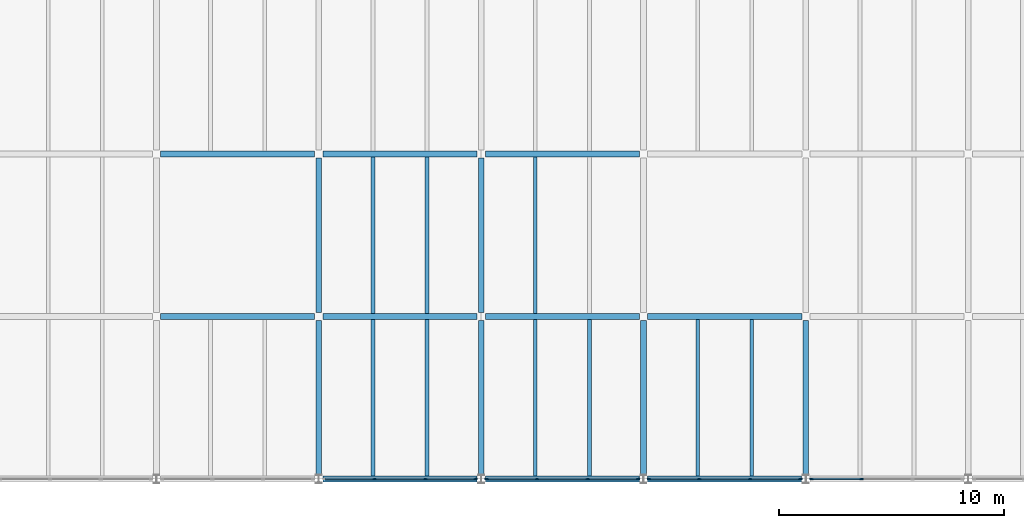
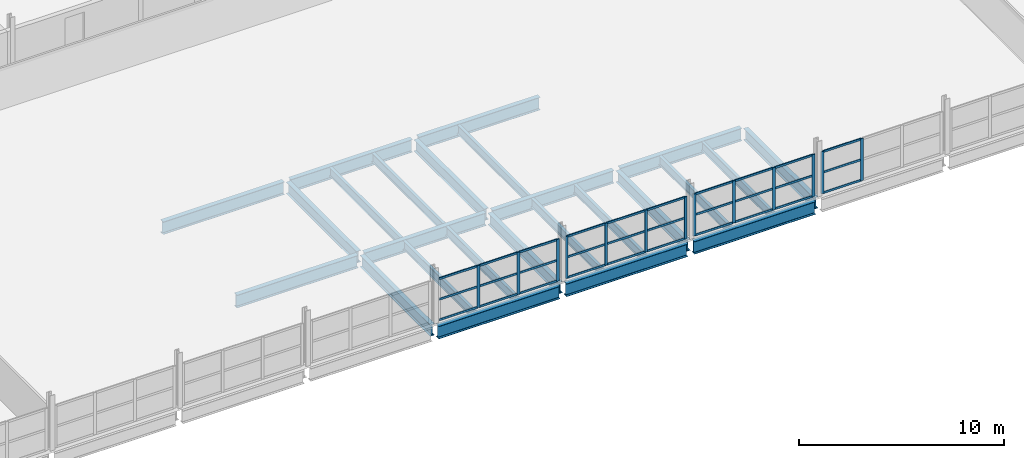
# One storey, part 10 of 25: 43 members, 25 beams, 4 elements without a shape of their own.
"""IFC4 building model written with IfcOpenShell, lengths in metres."""

from ifc_helpers import new_model, si_unit, direction, frame, origin, origin_2d, place, context, subcontext, project, spatial, rectangle, i_section, extrude, material, material_profile, profile_set, type_object, element, aggregate, save


model = new_model("IFC4")

# Units and contexts
model_context = context("Model", 3, precision=1e-05, world=origin(), true_north=direction((0.0, 1.0)))
body_context = subcontext(model_context, "Body", "Model", "MODEL_VIEW")
ifc_project = project(units=[si_unit("LENGTHUNIT", "METRE"), si_unit("AREAUNIT", "SQUARE_METRE"), si_unit("VOLUMEUNIT", "CUBIC_METRE"), si_unit("PLANEANGLEUNIT", "RADIAN"), si_unit("MASSUNIT", "GRAM", prefix="KILO")], contexts=[model_context])

# Site, building, storey
site_placement = place(None, origin())
site = spatial("IfcSite", under=ifc_project, at=site_placement, CompositionType="ELEMENT")
building_placement = place(site_placement, origin())
building = spatial("IfcBuilding", under=site, at=building_placement, Name="Vaelcorin Mobility Hub", CompositionType="ELEMENT")
storey_placement = place(building_placement, frame((0.0, 0.0, 21.0)))
storey = spatial("IfcBuildingStorey", under=building, at=storey_placement, Name="L05", CompositionType="ELEMENT", Elevation=21.0)

# Beams
ifc_material_1 = material(Name="Steel ASTM A992 Grade 50", Category="steel")
ifc_material_profile_1 = material_profile(ifc_material_1, i_section(OverallWidth=0.166015625, OverallDepth=0.528076171875, WebThickness=0.009765625, FlangeThickness=0.013671875, FilletRadius=0.013916015625, at=origin_2d()), Name="W21X50")
ifc_profile_set_1 = profile_set([ifc_material_profile_1], Name="Steel ASTM A992 Grade 50")
beam_type_1 = type_object("IfcBeamType", Name="BM-W21X50", PredefinedType="JOIST", material=ifc_profile_set_1)
for number, where, z_axis, x_axis, name in (
    (1, (74.39990234375, 84.132080078125, -0.52392578125), (0.0, 1.0, 0.0), (-1.0, 0.0, 0.0), "L05 Beam V3-L05-J-05-01-1"),
    (2, (76.800048828125, 84.132080078125, -0.52392578125), (0.0, 1.0, 0.0), (-1.0, 0.0, 0.0), "L05 Beam V3-L05-J-05-01-2"),
    (3, (74.39990234375, 91.33203125, -0.52392578125), (0.0, 1.0, 0.0), (-1.0, 0.0, 0.0), "L05 Beam V3-L05-J-05-02-1"),
    (4, (76.800048828125, 91.33203125, -0.52392578125), (0.0, 1.0, 0.0), (-1.0, 0.0, 0.0), "L05 Beam V3-L05-J-05-02-2"),
    (5, (81.60009765625, 84.132080078125, -0.52392578125), (0.0, 1.0, 0.0), (-1.0, 0.0, 0.0), "L05 Beam V3-L05-J-06-01-1"),
    (6, (84.0, 84.132080078125, -0.52392578125), (0.0, 1.0, 0.0), (-1.0, 0.0, 0.0), "L05 Beam V3-L05-J-06-01-2"),
    (7, (81.60009765625, 91.33203125, -0.52392578125), (0.0, 1.0, 0.0), (-1.0, 0.0, 0.0), "L05 Beam V3-L05-J-06-02-1"),
    (8, (88.800048828125, 84.132080078125, -0.52392578125), (0.0, 1.0, 0.0), (-1.0, 0.0, 0.0), "L05 Beam V3-L05-J-07-01-1"),
    (9, (91.199951171875, 84.132080078125, -0.52392578125), (0.0, 1.0, 0.0), (-1.0, 0.0, 0.0), "L05 Beam V3-L05-J-07-01-2"),
):
    element("IfcBeam", number, at=place(storey_placement, frame(where, z_axis=z_axis, x_axis=x_axis)), inside=storey, type_object=beam_type_1, Name=name, PredefinedType="JOIST", context=body_context, shape_type="SweptSolid", body=[
        extrude(i_section(OverallWidth=0.166015625, OverallDepth=0.528076171875, WebThickness=0.009765625, FlangeThickness=0.013671875, FilletRadius=0.013916015625, at=origin_2d()), origin(), (0.0, 0.0, 1.0), 6.93603515625),
    ])
ifc_material_profile_2 = material_profile(ifc_material_1, i_section(OverallWidth=0.25390625, OverallDepth=0.68310546875, WebThickness=0.012451171875, FlangeThickness=0.018798828125, FilletRadius=0.01611328125, at=origin_2d()), Name="W27X94")
ifc_profile_set_2 = profile_set([ifc_material_profile_2], Name="Steel ASTM A992 Grade 50")
beam_type_2 = type_object("IfcBeamType", Name="BM-W27X94", PredefinedType="BEAM", material=ifc_profile_set_2)
beam_1_placement = place(storey_placement, frame((72.0, 84.179931640625, -0.60205078125), z_axis=(0.0, 1.0, 0.0), x_axis=(-1.0, 0.0, 0.0)))
element("IfcBeam", 10, at=beam_1_placement, inside=storey, type_object=beam_type_2, Name="L05 Beam V3-L05-GY-05-01", PredefinedType="BEAM", context=body_context, shape_type="SweptSolid", body=[
    extrude(i_section(OverallWidth=0.25390625, OverallDepth=0.68310546875, WebThickness=0.012451171875, FlangeThickness=0.018798828125, FilletRadius=0.01611328125, at=origin_2d()), origin(), (0.0, 0.0, 1.0), 6.843994140625),
])
beam_2_placement = place(storey_placement, frame((72.0, 91.3759765625, -0.60205078125), z_axis=(0.0, 1.0, 0.0), x_axis=(-1.0, 0.0, 0.0)))
element("IfcBeam", 11, at=beam_2_placement, inside=storey, type_object=beam_type_2, Name="L05 Beam V3-L05-GY-05-02", PredefinedType="BEAM", context=body_context, shape_type="SweptSolid", body=[
    extrude(i_section(OverallWidth=0.25390625, OverallDepth=0.68310546875, WebThickness=0.012451171875, FlangeThickness=0.018798828125, FilletRadius=0.01611328125, at=origin_2d()), origin(), (0.0, 0.0, 1.0), 6.84814453125),
])
beam_3_placement = place(storey_placement, frame((79.199951171875, 84.179931640625, -0.60205078125), z_axis=(0.0, 1.0, 0.0), x_axis=(-1.0, 0.0, 0.0)))
element("IfcBeam", 12, at=beam_3_placement, inside=storey, type_object=beam_type_2, Name="L05 Beam V3-L05-GY-06-01", PredefinedType="BEAM", context=body_context, shape_type="SweptSolid", body=[
    extrude(i_section(OverallWidth=0.25390625, OverallDepth=0.68310546875, WebThickness=0.012451171875, FlangeThickness=0.018798828125, FilletRadius=0.01611328125, at=origin_2d()), origin(), (0.0, 0.0, 1.0), 6.843994140625),
])
beam_4_placement = place(storey_placement, frame((79.199951171875, 91.3759765625, -0.60205078125), z_axis=(0.0, 1.0, 0.0), x_axis=(-1.0, 0.0, 0.0)))
element("IfcBeam", 13, at=beam_4_placement, inside=storey, type_object=beam_type_2, Name="L05 Beam V3-L05-GY-06-02", PredefinedType="BEAM", context=body_context, shape_type="SweptSolid", body=[
    extrude(i_section(OverallWidth=0.25390625, OverallDepth=0.68310546875, WebThickness=0.012451171875, FlangeThickness=0.018798828125, FilletRadius=0.01611328125, at=origin_2d()), origin(), (0.0, 0.0, 1.0), 6.84814453125),
])
for number, where, z_axis, x_axis, name in (
    (14, (86.39990234375, 84.179931640625, -0.60205078125), (0.0, 1.0, 0.0), (-1.0, 0.0, 0.0), "L05 Beam V3-L05-GY-07-01"),
    (15, (93.60009765625, 84.179931640625, -0.60205078125), (0.0, 1.0, 0.0), (-1.0, 0.0, 0.0), "L05 Beam V3-L05-GY-08-01"),
):
    element("IfcBeam", number, at=place(storey_placement, frame(where, z_axis=z_axis, x_axis=x_axis)), inside=storey, type_object=beam_type_2, Name=name, PredefinedType="BEAM", context=body_context, shape_type="SweptSolid", body=[
        extrude(i_section(OverallWidth=0.25390625, OverallDepth=0.68310546875, WebThickness=0.012451171875, FlangeThickness=0.018798828125, FilletRadius=0.01611328125, at=origin_2d()), origin(), (0.0, 0.0, 1.0), 6.843994140625),
    ])
ifc_material_profile_3 = material_profile(ifc_material_1, i_section(OverallWidth=0.26708984375, OverallDepth=0.757080078125, WebThickness=0.013916015625, FlangeThickness=0.019287109375, FilletRadius=0.01708984375, at=origin_2d()), Name="W30X108")
ifc_profile_set_3 = profile_set([ifc_material_profile_3], Name="Steel ASTM A992 Grade 50")
beam_type_3 = type_object("IfcBeamType", Name="BM-W30X108", PredefinedType="BEAM", material=ifc_profile_set_3)
for number, where, z_axis, x_axis, name in (
    (16, (72.18408203125, 84.0, -0.637939453125), (1.0, 0.0, 0.0), (0.0, 1.0, 0.0), "L05 Beam V3-L05-GX-01-05"),
    (17, (79.384033203125, 84.0, -0.637939453125), (1.0, 0.0, 0.0), (0.0, 1.0, 0.0), "L05 Beam V3-L05-GX-01-06"),
):
    element("IfcBeam", number, at=place(storey_placement, frame(where, z_axis=z_axis, x_axis=x_axis)), inside=storey, type_object=beam_type_3, Name=name, PredefinedType="BEAM", context=body_context, shape_type="SweptSolid", body=[
        extrude(i_section(OverallWidth=0.26708984375, OverallDepth=0.757080078125, WebThickness=0.013916015625, FlangeThickness=0.019287109375, FilletRadius=0.01708984375, at=origin_2d()), origin(), (0.0, 0.0, 1.0), 6.8330078125),
    ])
beam_5_placement = place(storey_placement, frame((86.583984375, 84.0, -0.637939453125), z_axis=(1.0, 0.0, 0.0), x_axis=(0.0, 1.0, 0.0)))
element("IfcBeam", 18, at=beam_5_placement, inside=storey, type_object=beam_type_3, Name="L05 Beam V3-L05-GX-01-07", PredefinedType="BEAM", context=body_context, shape_type="SweptSolid", body=[
    extrude(i_section(OverallWidth=0.26708984375, OverallDepth=0.757080078125, WebThickness=0.013916015625, FlangeThickness=0.019287109375, FilletRadius=0.01708984375, at=origin_2d()), origin(), (0.0, 0.0, 1.0), 6.83203125),
])
for number, where, z_axis, x_axis, name in (
    (19, (64.98193359375, 91.199951171875, -0.637939453125), (1.0, 0.0, 0.0), (0.0, 1.0, 0.0), "L05 Beam V3-L05-GX-02-04"),
    (20, (72.181884765625, 91.199951171875, -0.637939453125), (1.0, 0.0, 0.0), (0.0, 1.0, 0.0), "L05 Beam V3-L05-GX-02-05"),
):
    element("IfcBeam", number, at=place(storey_placement, frame(where, z_axis=z_axis, x_axis=x_axis)), inside=storey, type_object=beam_type_3, Name=name, PredefinedType="BEAM", context=body_context, shape_type="SweptSolid", body=[
        extrude(i_section(OverallWidth=0.26708984375, OverallDepth=0.757080078125, WebThickness=0.013916015625, FlangeThickness=0.019287109375, FilletRadius=0.01708984375, at=origin_2d()), origin(), (0.0, 0.0, 1.0), 6.836181640625),
    ])
for number, where, z_axis, x_axis, name in (
    (21, (79.382080078125, 91.199951171875, -0.637939453125), (1.0, 0.0, 0.0), (0.0, 1.0, 0.0), "L05 Beam V3-L05-GX-02-06"),
    (22, (86.58203125, 91.199951171875, -0.637939453125), (1.0, 0.0, 0.0), (0.0, 1.0, 0.0), "L05 Beam V3-L05-GX-02-07"),
):
    element("IfcBeam", number, at=place(storey_placement, frame(where, z_axis=z_axis, x_axis=x_axis)), inside=storey, type_object=beam_type_3, Name=name, PredefinedType="BEAM", context=body_context, shape_type="SweptSolid", body=[
        extrude(i_section(OverallWidth=0.26708984375, OverallDepth=0.757080078125, WebThickness=0.013916015625, FlangeThickness=0.019287109375, FilletRadius=0.01708984375, at=origin_2d()), origin(), (0.0, 0.0, 1.0), 6.8359375),
    ])
for number, where, z_axis, x_axis, name in (
    (23, (64.98193359375, 98.39990234375, -0.637939453125), (1.0, 0.0, 0.0), (0.0, 1.0, 0.0), "L05 Beam V3-L05-GX-03-04"),
    (24, (72.181884765625, 98.39990234375, -0.637939453125), (1.0, 0.0, 0.0), (0.0, 1.0, 0.0), "L05 Beam V3-L05-GX-03-05"),
):
    element("IfcBeam", number, at=place(storey_placement, frame(where, z_axis=z_axis, x_axis=x_axis)), inside=storey, type_object=beam_type_3, Name=name, PredefinedType="BEAM", context=body_context, shape_type="SweptSolid", body=[
        extrude(i_section(OverallWidth=0.26708984375, OverallDepth=0.757080078125, WebThickness=0.013916015625, FlangeThickness=0.019287109375, FilletRadius=0.01708984375, at=origin_2d()), origin(), (0.0, 0.0, 1.0), 6.836181640625),
    ])
beam_6_placement = place(storey_placement, frame((79.382080078125, 98.39990234375, -0.637939453125), z_axis=(1.0, 0.0, 0.0), x_axis=(0.0, 1.0, 0.0)))
element("IfcBeam", 25, at=beam_6_placement, inside=storey, type_object=beam_type_3, Name="L05 Beam V3-L05-GX-03-06", PredefinedType="BEAM", context=body_context, shape_type="SweptSolid", body=[
    extrude(i_section(OverallWidth=0.26708984375, OverallDepth=0.757080078125, WebThickness=0.013916015625, FlangeThickness=0.019287109375, FilletRadius=0.01708984375, at=origin_2d()), origin(), (0.0, 0.0, 1.0), 6.8359375),
])

# Curtain wall, members
ifc_material_2 = material(Name="Anodised aluminium 6063-T6", Category="aluminium")
curtain_wall_type = type_object("IfcCurtainWallType", Name="CW-SPT-A", PredefinedType="NOTDEFINED", material=ifc_material_2)
curtain_wall_1_placement = place(storey_placement, origin())
curtain_wall_1 = element("IfcCurtainWall", 26, at=curtain_wall_1_placement, inside=storey, type_object=curtain_wall_type, Name="L05 Curtain Wall CW-V3-S-05", PredefinedType="NOTDEFINED")
ifc_material_profile_4 = material_profile(ifc_material_2, rectangle(XDim=0.06005859375, YDim=0.159912109375, at=origin_2d()), Name="ALU-M60X160")
ifc_profile_set_4 = profile_set([ifc_material_profile_4], Name="Anodised aluminium 6063-T6")
member_type_1 = type_object("IfcMemberType", Name="CW-MULL-160", PredefinedType="MULLION", material=ifc_profile_set_4)
member_1_placement = place(storey_placement, frame((78.949951171875, 84.0, 0.0), z_axis=(0.0, 0.0, 1.0), x_axis=(0.0, -1.0, 0.0)))
member_1 = element("IfcMember", 27, at=member_1_placement, type_object=member_type_1, Name="CW5 mullion 1", PredefinedType="MULLION", context=body_context, shape_type="SweptSolid", body=[
    extrude(rectangle(XDim=0.06005859375, YDim=0.159912109375, at=origin_2d()), origin(), (0.0, 0.0, 1.0), 2.5),
])
member_2_placement = place(storey_placement, frame((76.7265625, 84.0, 0.0), z_axis=(0.0, 0.0, 1.0), x_axis=(0.0, -1.0, 0.0)))
member_2 = element("IfcMember", 28, at=member_2_placement, type_object=member_type_1, Name="CW5 mullion 2", PredefinedType="MULLION", context=body_context, shape_type="SweptSolid", body=[
    extrude(rectangle(XDim=0.06005859375, YDim=0.159912109375, at=origin_2d()), origin(), (0.0, 0.0, 1.0), 2.5),
])
member_3_placement = place(storey_placement, frame((74.473388671875, 84.0, 0.0), z_axis=(0.0, 0.0, 1.0), x_axis=(0.0, -1.0, 0.0)))
member_3 = element("IfcMember", 29, at=member_3_placement, type_object=member_type_1, Name="CW5 mullion 3", PredefinedType="MULLION", context=body_context, shape_type="SweptSolid", body=[
    extrude(rectangle(XDim=0.06005859375, YDim=0.159912109375, at=origin_2d()), origin(), (0.0, 0.0, 1.0), 2.5),
])

curtain_wall_2_placement = place(storey_placement, origin())
curtain_wall_2 = element("IfcCurtainWall", 30, at=curtain_wall_2_placement, inside=storey, type_object=curtain_wall_type, Name="L05 Curtain Wall CW-V3-S-06", PredefinedType="NOTDEFINED")
member_4_placement = place(storey_placement, frame((86.14990234375, 84.0, 0.0), z_axis=(0.0, 0.0, 1.0), x_axis=(0.0, -1.0, 0.0)))
member_4 = element("IfcMember", 31, at=member_4_placement, type_object=member_type_1, Name="CW5 mullion 1", PredefinedType="MULLION", context=body_context, shape_type="SweptSolid", body=[
    extrude(rectangle(XDim=0.06005859375, YDim=0.159912109375, at=origin_2d()), origin(), (0.0, 0.0, 1.0), 2.5),
])
member_5_placement = place(storey_placement, frame((83.9267578125, 84.0, 0.0), z_axis=(0.0, 0.0, 1.0), x_axis=(0.0, -1.0, 0.0)))
member_5 = element("IfcMember", 32, at=member_5_placement, type_object=member_type_1, Name="CW5 mullion 2", PredefinedType="MULLION", context=body_context, shape_type="SweptSolid", body=[
    extrude(rectangle(XDim=0.06005859375, YDim=0.159912109375, at=origin_2d()), origin(), (0.0, 0.0, 1.0), 2.5),
])
member_6_placement = place(storey_placement, frame((81.67333984375, 84.0, 0.0), z_axis=(0.0, 0.0, 1.0), x_axis=(0.0, -1.0, 0.0)))
member_6 = element("IfcMember", 33, at=member_6_placement, type_object=member_type_1, Name="CW5 mullion 3", PredefinedType="MULLION", context=body_context, shape_type="SweptSolid", body=[
    extrude(rectangle(XDim=0.06005859375, YDim=0.159912109375, at=origin_2d()), origin(), (0.0, 0.0, 1.0), 2.5),
])
member_7_placement = place(storey_placement, frame((79.449951171875, 84.0, 0.0), z_axis=(0.0, 0.0, 1.0), x_axis=(0.0, -1.0, 0.0)))
member_7 = element("IfcMember", 34, at=member_7_placement, type_object=member_type_1, Name="CW5 mullion 4", PredefinedType="MULLION", context=body_context, shape_type="SweptSolid", body=[
    extrude(rectangle(XDim=0.06005859375, YDim=0.159912109375, at=origin_2d()), origin(), (0.0, 0.0, 1.0), 2.5),
])

curtain_wall_3_placement = place(storey_placement, origin())
curtain_wall_3 = element("IfcCurtainWall", 35, at=curtain_wall_3_placement, inside=storey, type_object=curtain_wall_type, Name="L05 Curtain Wall CW-V3-S-07", PredefinedType="NOTDEFINED")
member_8_placement = place(storey_placement, frame((93.35009765625, 84.0, 0.0), z_axis=(0.0, 0.0, 1.0), x_axis=(0.0, -1.0, 0.0)))
member_8 = element("IfcMember", 36, at=member_8_placement, type_object=member_type_1, Name="CW5 mullion 1", PredefinedType="MULLION", context=body_context, shape_type="SweptSolid", body=[
    extrude(rectangle(XDim=0.06005859375, YDim=0.159912109375, at=origin_2d()), origin(), (0.0, 0.0, 1.0), 2.5),
])
member_9_placement = place(storey_placement, frame((91.126708984375, 84.0, 0.0), z_axis=(0.0, 0.0, 1.0), x_axis=(0.0, -1.0, 0.0)))
member_9 = element("IfcMember", 37, at=member_9_placement, type_object=member_type_1, Name="CW5 mullion 2", PredefinedType="MULLION", context=body_context, shape_type="SweptSolid", body=[
    extrude(rectangle(XDim=0.06005859375, YDim=0.159912109375, at=origin_2d()), origin(), (0.0, 0.0, 1.0), 2.5),
])
member_10_placement = place(storey_placement, frame((88.873291015625, 84.0, 0.0), z_axis=(0.0, 0.0, 1.0), x_axis=(0.0, -1.0, 0.0)))
member_10 = element("IfcMember", 38, at=member_10_placement, type_object=member_type_1, Name="CW5 mullion 3", PredefinedType="MULLION", context=body_context, shape_type="SweptSolid", body=[
    extrude(rectangle(XDim=0.06005859375, YDim=0.159912109375, at=origin_2d()), origin(), (0.0, 0.0, 1.0), 2.5),
])
member_11_placement = place(storey_placement, frame((86.64990234375, 84.0, 0.0), z_axis=(0.0, 0.0, 1.0), x_axis=(0.0, -1.0, 0.0)))
member_11 = element("IfcMember", 39, at=member_11_placement, type_object=member_type_1, Name="CW5 mullion 4", PredefinedType="MULLION", context=body_context, shape_type="SweptSolid", body=[
    extrude(rectangle(XDim=0.06005859375, YDim=0.159912109375, at=origin_2d()), origin(), (0.0, 0.0, 1.0), 2.5),
])

curtain_wall_4_placement = place(storey_placement, origin())
curtain_wall_4 = element("IfcCurtainWall", 40, at=curtain_wall_4_placement, inside=storey, type_object=curtain_wall_type, Name="L05 Curtain Wall CW-V3-S-08", PredefinedType="NOTDEFINED")
member_12_placement = place(storey_placement, frame((96.0732421875, 84.0, 0.0), z_axis=(0.0, 0.0, 1.0), x_axis=(0.0, -1.0, 0.0)))
member_12 = element("IfcMember", 41, at=member_12_placement, type_object=member_type_1, Name="CW5 mullion 3", PredefinedType="MULLION", context=body_context, shape_type="SweptSolid", body=[
    extrude(rectangle(XDim=0.06005859375, YDim=0.159912109375, at=origin_2d()), origin(), (0.0, 0.0, 1.0), 2.5),
])
member_13_placement = place(storey_placement, frame((93.85009765625, 84.0, 0.0), z_axis=(0.0, 0.0, 1.0), x_axis=(0.0, -1.0, 0.0)))
member_13 = element("IfcMember", 42, at=member_13_placement, type_object=member_type_1, Name="CW5 mullion 4", PredefinedType="MULLION", context=body_context, shape_type="SweptSolid", body=[
    extrude(rectangle(XDim=0.06005859375, YDim=0.159912109375, at=origin_2d()), origin(), (0.0, 0.0, 1.0), 2.5),
])

# Member
ifc_material_profile_5 = material_profile(ifc_material_2, rectangle(XDim=0.06005859375, YDim=0.1201171875, at=origin_2d()), Name="ALU-T60X120")
ifc_profile_set_5 = profile_set([ifc_material_profile_5], Name="Anodised aluminium 6063-T6")
member_type_2 = type_object("IfcMemberType", Name="CW-TRAN-140", PredefinedType="USERDEFINED", material=ifc_profile_set_5)
member_14_placement = place(storey_placement, frame((78.919921875, 84.0, 0.030029296875), z_axis=(-1.0, 0.0, 0.0), x_axis=(0.0, -1.0, 0.0)))
member_14 = element("IfcMember", 43, at=member_14_placement, type_object=member_type_2, Name="CW5 transom 1.1", ObjectType="TRANSOM", PredefinedType="USERDEFINED", context=body_context, shape_type="SweptSolid", body=[
    extrude(rectangle(XDim=0.06005859375, YDim=0.1201171875, at=origin_2d()), origin(), (0.0, 0.0, 1.0), 2.163330078125),
])

member_15_placement = place(storey_placement, frame((78.919921875, 84.0, 1.25), z_axis=(-1.0, 0.0, 0.0), x_axis=(0.0, -1.0, 0.0)))
member_15 = element("IfcMember", 44, at=member_15_placement, type_object=member_type_2, Name="CW5 transom 1.2", ObjectType="TRANSOM", PredefinedType="USERDEFINED", context=body_context, shape_type="SweptSolid", body=[
    extrude(rectangle(XDim=0.06005859375, YDim=0.1201171875, at=origin_2d()), origin(), (0.0, 0.0, 1.0), 2.163330078125),
])

member_16_placement = place(storey_placement, frame((78.919921875, 84.0, 2.469970703125), z_axis=(-1.0, 0.0, 0.0), x_axis=(0.0, -1.0, 0.0)))
member_16 = element("IfcMember", 45, at=member_16_placement, type_object=member_type_2, Name="CW5 transom 1.3", ObjectType="TRANSOM", PredefinedType="USERDEFINED", context=body_context, shape_type="SweptSolid", body=[
    extrude(rectangle(XDim=0.06005859375, YDim=0.1201171875, at=origin_2d()), origin(), (0.0, 0.0, 1.0), 2.163330078125),
])

member_17_placement = place(storey_placement, frame((76.69677734375, 84.0, 0.030029296875), z_axis=(-1.0, 0.0, 0.0), x_axis=(0.0, -1.0, 0.0)))
member_17 = element("IfcMember", 46, at=member_17_placement, type_object=member_type_2, Name="CW5 transom 2.1", ObjectType="TRANSOM", PredefinedType="USERDEFINED", context=body_context, shape_type="SweptSolid", body=[
    extrude(rectangle(XDim=0.06005859375, YDim=0.1201171875, at=origin_2d()), origin(), (0.0, 0.0, 1.0), 2.193359375),
])

member_18_placement = place(storey_placement, frame((76.69677734375, 84.0, 1.25), z_axis=(-1.0, 0.0, 0.0), x_axis=(0.0, -1.0, 0.0)))
member_18 = element("IfcMember", 47, at=member_18_placement, type_object=member_type_2, Name="CW5 transom 2.2", ObjectType="TRANSOM", PredefinedType="USERDEFINED", context=body_context, shape_type="SweptSolid", body=[
    extrude(rectangle(XDim=0.06005859375, YDim=0.1201171875, at=origin_2d()), origin(), (0.0, 0.0, 1.0), 2.193359375),
])

member_19_placement = place(storey_placement, frame((76.69677734375, 84.0, 2.469970703125), z_axis=(-1.0, 0.0, 0.0), x_axis=(0.0, -1.0, 0.0)))
member_19 = element("IfcMember", 48, at=member_19_placement, type_object=member_type_2, Name="CW5 transom 2.3", ObjectType="TRANSOM", PredefinedType="USERDEFINED", context=body_context, shape_type="SweptSolid", body=[
    extrude(rectangle(XDim=0.06005859375, YDim=0.1201171875, at=origin_2d()), origin(), (0.0, 0.0, 1.0), 2.193359375),
])

member_20_placement = place(storey_placement, frame((74.443359375, 84.0, 0.030029296875), z_axis=(-1.0, 0.0, 0.0), x_axis=(0.0, -1.0, 0.0)))
member_20 = element("IfcMember", 49, at=member_20_placement, type_object=member_type_2, Name="CW5 transom 3.1", ObjectType="TRANSOM", PredefinedType="USERDEFINED", context=body_context, shape_type="SweptSolid", body=[
    extrude(rectangle(XDim=0.06005859375, YDim=0.1201171875, at=origin_2d()), origin(), (0.0, 0.0, 1.0), 2.163330078125),
])

member_21_placement = place(storey_placement, frame((74.443359375, 84.0, 1.25), z_axis=(-1.0, 0.0, 0.0), x_axis=(0.0, -1.0, 0.0)))
member_21 = element("IfcMember", 50, at=member_21_placement, type_object=member_type_2, Name="CW5 transom 3.2", ObjectType="TRANSOM", PredefinedType="USERDEFINED", context=body_context, shape_type="SweptSolid", body=[
    extrude(rectangle(XDim=0.06005859375, YDim=0.1201171875, at=origin_2d()), origin(), (0.0, 0.0, 1.0), 2.163330078125),
])

member_22_placement = place(storey_placement, frame((74.443359375, 84.0, 2.469970703125), z_axis=(-1.0, 0.0, 0.0), x_axis=(0.0, -1.0, 0.0)))
member_22 = element("IfcMember", 51, at=member_22_placement, type_object=member_type_2, Name="CW5 transom 3.3", ObjectType="TRANSOM", PredefinedType="USERDEFINED", context=body_context, shape_type="SweptSolid", body=[
    extrude(rectangle(XDim=0.06005859375, YDim=0.1201171875, at=origin_2d()), origin(), (0.0, 0.0, 1.0), 2.163330078125),
])

aggregate(curtain_wall_1, [member_1, member_2, member_3, member_14, member_15, member_16, member_17, member_18, member_19, member_20, member_21, member_22])

member_23_placement = place(storey_placement, frame((86.1201171875, 84.0, 0.030029296875), z_axis=(-1.0, 0.0, 0.0), x_axis=(0.0, -1.0, 0.0)))
member_23 = element("IfcMember", 52, at=member_23_placement, type_object=member_type_2, Name="CW5 transom 1.1", ObjectType="TRANSOM", PredefinedType="USERDEFINED", context=body_context, shape_type="SweptSolid", body=[
    extrude(rectangle(XDim=0.06005859375, YDim=0.1201171875, at=origin_2d()), origin(), (0.0, 0.0, 1.0), 2.163330078125),
])

member_24_placement = place(storey_placement, frame((86.1201171875, 84.0, 1.25), z_axis=(-1.0, 0.0, 0.0), x_axis=(0.0, -1.0, 0.0)))
member_24 = element("IfcMember", 53, at=member_24_placement, type_object=member_type_2, Name="CW5 transom 1.2", ObjectType="TRANSOM", PredefinedType="USERDEFINED", context=body_context, shape_type="SweptSolid", body=[
    extrude(rectangle(XDim=0.06005859375, YDim=0.1201171875, at=origin_2d()), origin(), (0.0, 0.0, 1.0), 2.163330078125),
])

member_25_placement = place(storey_placement, frame((86.1201171875, 84.0, 2.469970703125), z_axis=(-1.0, 0.0, 0.0), x_axis=(0.0, -1.0, 0.0)))
member_25 = element("IfcMember", 54, at=member_25_placement, type_object=member_type_2, Name="CW5 transom 1.3", ObjectType="TRANSOM", PredefinedType="USERDEFINED", context=body_context, shape_type="SweptSolid", body=[
    extrude(rectangle(XDim=0.06005859375, YDim=0.1201171875, at=origin_2d()), origin(), (0.0, 0.0, 1.0), 2.163330078125),
])

member_26_placement = place(storey_placement, frame((83.896728515625, 84.0, 0.030029296875), z_axis=(-1.0, 0.0, 0.0), x_axis=(0.0, -1.0, 0.0)))
member_26 = element("IfcMember", 55, at=member_26_placement, type_object=member_type_2, Name="CW5 transom 2.1", ObjectType="TRANSOM", PredefinedType="USERDEFINED", context=body_context, shape_type="SweptSolid", body=[
    extrude(rectangle(XDim=0.06005859375, YDim=0.1201171875, at=origin_2d()), origin(), (0.0, 0.0, 1.0), 2.193359375),
])

member_27_placement = place(storey_placement, frame((83.896728515625, 84.0, 1.25), z_axis=(-1.0, 0.0, 0.0), x_axis=(0.0, -1.0, 0.0)))
member_27 = element("IfcMember", 56, at=member_27_placement, type_object=member_type_2, Name="CW5 transom 2.2", ObjectType="TRANSOM", PredefinedType="USERDEFINED", context=body_context, shape_type="SweptSolid", body=[
    extrude(rectangle(XDim=0.06005859375, YDim=0.1201171875, at=origin_2d()), origin(), (0.0, 0.0, 1.0), 2.193359375),
])

member_28_placement = place(storey_placement, frame((83.896728515625, 84.0, 2.469970703125), z_axis=(-1.0, 0.0, 0.0), x_axis=(0.0, -1.0, 0.0)))
member_28 = element("IfcMember", 57, at=member_28_placement, type_object=member_type_2, Name="CW5 transom 2.3", ObjectType="TRANSOM", PredefinedType="USERDEFINED", context=body_context, shape_type="SweptSolid", body=[
    extrude(rectangle(XDim=0.06005859375, YDim=0.1201171875, at=origin_2d()), origin(), (0.0, 0.0, 1.0), 2.193359375),
])

member_29_placement = place(storey_placement, frame((81.643310546875, 84.0, 0.030029296875), z_axis=(-1.0, 0.0, 0.0), x_axis=(0.0, -1.0, 0.0)))
member_29 = element("IfcMember", 58, at=member_29_placement, type_object=member_type_2, Name="CW5 transom 3.1", ObjectType="TRANSOM", PredefinedType="USERDEFINED", context=body_context, shape_type="SweptSolid", body=[
    extrude(rectangle(XDim=0.06005859375, YDim=0.1201171875, at=origin_2d()), origin(), (0.0, 0.0, 1.0), 2.163330078125),
])

member_30_placement = place(storey_placement, frame((81.643310546875, 84.0, 1.25), z_axis=(-1.0, 0.0, 0.0), x_axis=(0.0, -1.0, 0.0)))
member_30 = element("IfcMember", 59, at=member_30_placement, type_object=member_type_2, Name="CW5 transom 3.2", ObjectType="TRANSOM", PredefinedType="USERDEFINED", context=body_context, shape_type="SweptSolid", body=[
    extrude(rectangle(XDim=0.06005859375, YDim=0.1201171875, at=origin_2d()), origin(), (0.0, 0.0, 1.0), 2.163330078125),
])

member_31_placement = place(storey_placement, frame((81.643310546875, 84.0, 2.469970703125), z_axis=(-1.0, 0.0, 0.0), x_axis=(0.0, -1.0, 0.0)))
member_31 = element("IfcMember", 60, at=member_31_placement, type_object=member_type_2, Name="CW5 transom 3.3", ObjectType="TRANSOM", PredefinedType="USERDEFINED", context=body_context, shape_type="SweptSolid", body=[
    extrude(rectangle(XDim=0.06005859375, YDim=0.1201171875, at=origin_2d()), origin(), (0.0, 0.0, 1.0), 2.163330078125),
])

aggregate(curtain_wall_2, [member_4, member_5, member_6, member_7, member_23, member_24, member_25, member_26, member_27, member_28, member_29, member_30, member_31])

member_32_placement = place(storey_placement, frame((93.320068359375, 84.0, 0.030029296875), z_axis=(-1.0, 0.0, 0.0), x_axis=(0.0, -1.0, 0.0)))
member_32 = element("IfcMember", 61, at=member_32_placement, type_object=member_type_2, Name="CW5 transom 1.1", ObjectType="TRANSOM", PredefinedType="USERDEFINED", context=body_context, shape_type="SweptSolid", body=[
    extrude(rectangle(XDim=0.06005859375, YDim=0.1201171875, at=origin_2d()), origin(), (0.0, 0.0, 1.0), 2.163330078125),
])

member_33_placement = place(storey_placement, frame((93.320068359375, 84.0, 1.25), z_axis=(-1.0, 0.0, 0.0), x_axis=(0.0, -1.0, 0.0)))
member_33 = element("IfcMember", 62, at=member_33_placement, type_object=member_type_2, Name="CW5 transom 1.2", ObjectType="TRANSOM", PredefinedType="USERDEFINED", context=body_context, shape_type="SweptSolid", body=[
    extrude(rectangle(XDim=0.06005859375, YDim=0.1201171875, at=origin_2d()), origin(), (0.0, 0.0, 1.0), 2.163330078125),
])

member_34_placement = place(storey_placement, frame((93.320068359375, 84.0, 2.469970703125), z_axis=(-1.0, 0.0, 0.0), x_axis=(0.0, -1.0, 0.0)))
member_34 = element("IfcMember", 63, at=member_34_placement, type_object=member_type_2, Name="CW5 transom 1.3", ObjectType="TRANSOM", PredefinedType="USERDEFINED", context=body_context, shape_type="SweptSolid", body=[
    extrude(rectangle(XDim=0.06005859375, YDim=0.1201171875, at=origin_2d()), origin(), (0.0, 0.0, 1.0), 2.163330078125),
])

member_35_placement = place(storey_placement, frame((91.0966796875, 84.0, 0.030029296875), z_axis=(-1.0, 0.0, 0.0), x_axis=(0.0, -1.0, 0.0)))
member_35 = element("IfcMember", 64, at=member_35_placement, type_object=member_type_2, Name="CW5 transom 2.1", ObjectType="TRANSOM", PredefinedType="USERDEFINED", context=body_context, shape_type="SweptSolid", body=[
    extrude(rectangle(XDim=0.06005859375, YDim=0.1201171875, at=origin_2d()), origin(), (0.0, 0.0, 1.0), 2.193359375),
])

member_36_placement = place(storey_placement, frame((91.0966796875, 84.0, 1.25), z_axis=(-1.0, 0.0, 0.0), x_axis=(0.0, -1.0, 0.0)))
member_36 = element("IfcMember", 65, at=member_36_placement, type_object=member_type_2, Name="CW5 transom 2.2", ObjectType="TRANSOM", PredefinedType="USERDEFINED", context=body_context, shape_type="SweptSolid", body=[
    extrude(rectangle(XDim=0.06005859375, YDim=0.1201171875, at=origin_2d()), origin(), (0.0, 0.0, 1.0), 2.193359375),
])

member_37_placement = place(storey_placement, frame((91.0966796875, 84.0, 2.469970703125), z_axis=(-1.0, 0.0, 0.0), x_axis=(0.0, -1.0, 0.0)))
member_37 = element("IfcMember", 66, at=member_37_placement, type_object=member_type_2, Name="CW5 transom 2.3", ObjectType="TRANSOM", PredefinedType="USERDEFINED", context=body_context, shape_type="SweptSolid", body=[
    extrude(rectangle(XDim=0.06005859375, YDim=0.1201171875, at=origin_2d()), origin(), (0.0, 0.0, 1.0), 2.193359375),
])

member_38_placement = place(storey_placement, frame((88.84326171875, 84.0, 0.030029296875), z_axis=(-1.0, 0.0, 0.0), x_axis=(0.0, -1.0, 0.0)))
member_38 = element("IfcMember", 67, at=member_38_placement, type_object=member_type_2, Name="CW5 transom 3.1", ObjectType="TRANSOM", PredefinedType="USERDEFINED", context=body_context, shape_type="SweptSolid", body=[
    extrude(rectangle(XDim=0.06005859375, YDim=0.1201171875, at=origin_2d()), origin(), (0.0, 0.0, 1.0), 2.163330078125),
])

member_39_placement = place(storey_placement, frame((88.84326171875, 84.0, 1.25), z_axis=(-1.0, 0.0, 0.0), x_axis=(0.0, -1.0, 0.0)))
member_39 = element("IfcMember", 68, at=member_39_placement, type_object=member_type_2, Name="CW5 transom 3.2", ObjectType="TRANSOM", PredefinedType="USERDEFINED", context=body_context, shape_type="SweptSolid", body=[
    extrude(rectangle(XDim=0.06005859375, YDim=0.1201171875, at=origin_2d()), origin(), (0.0, 0.0, 1.0), 2.163330078125),
])

member_40_placement = place(storey_placement, frame((88.84326171875, 84.0, 2.469970703125), z_axis=(-1.0, 0.0, 0.0), x_axis=(0.0, -1.0, 0.0)))
member_40 = element("IfcMember", 69, at=member_40_placement, type_object=member_type_2, Name="CW5 transom 3.3", ObjectType="TRANSOM", PredefinedType="USERDEFINED", context=body_context, shape_type="SweptSolid", body=[
    extrude(rectangle(XDim=0.06005859375, YDim=0.1201171875, at=origin_2d()), origin(), (0.0, 0.0, 1.0), 2.163330078125),
])

aggregate(curtain_wall_3, [member_8, member_9, member_10, member_11, member_32, member_33, member_34, member_35, member_36, member_37, member_38, member_39, member_40])

member_41_placement = place(storey_placement, frame((96.043212890625, 84.0, 0.030029296875), z_axis=(-1.0, 0.0, 0.0), x_axis=(0.0, -1.0, 0.0)))
member_41 = element("IfcMember", 70, at=member_41_placement, type_object=member_type_2, Name="CW5 transom 3.1", ObjectType="TRANSOM", PredefinedType="USERDEFINED", context=body_context, shape_type="SweptSolid", body=[
    extrude(rectangle(XDim=0.06005859375, YDim=0.1201171875, at=origin_2d()), origin(), (0.0, 0.0, 1.0), 2.163330078125),
])

member_42_placement = place(storey_placement, frame((96.043212890625, 84.0, 1.25), z_axis=(-1.0, 0.0, 0.0), x_axis=(0.0, -1.0, 0.0)))
member_42 = element("IfcMember", 71, at=member_42_placement, type_object=member_type_2, Name="CW5 transom 3.2", ObjectType="TRANSOM", PredefinedType="USERDEFINED", context=body_context, shape_type="SweptSolid", body=[
    extrude(rectangle(XDim=0.06005859375, YDim=0.1201171875, at=origin_2d()), origin(), (0.0, 0.0, 1.0), 2.163330078125),
])

member_43_placement = place(storey_placement, frame((96.043212890625, 84.0, 2.469970703125), z_axis=(-1.0, 0.0, 0.0), x_axis=(0.0, -1.0, 0.0)))
member_43 = element("IfcMember", 72, at=member_43_placement, type_object=member_type_2, Name="CW5 transom 3.3", ObjectType="TRANSOM", PredefinedType="USERDEFINED", context=body_context, shape_type="SweptSolid", body=[
    extrude(rectangle(XDim=0.06005859375, YDim=0.1201171875, at=origin_2d()), origin(), (0.0, 0.0, 1.0), 2.163330078125),
])

aggregate(curtain_wall_4, [member_12, member_13, member_41, member_42, member_43])

save(model, "model.ifc")
